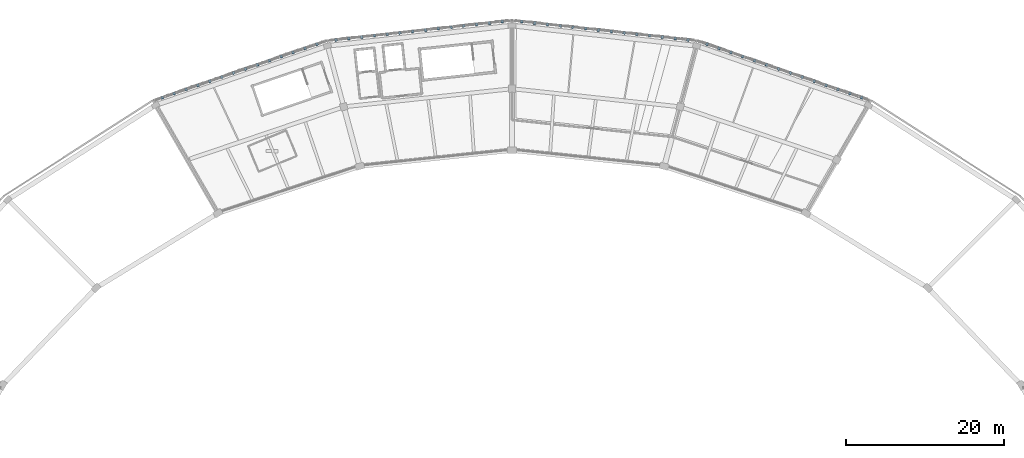
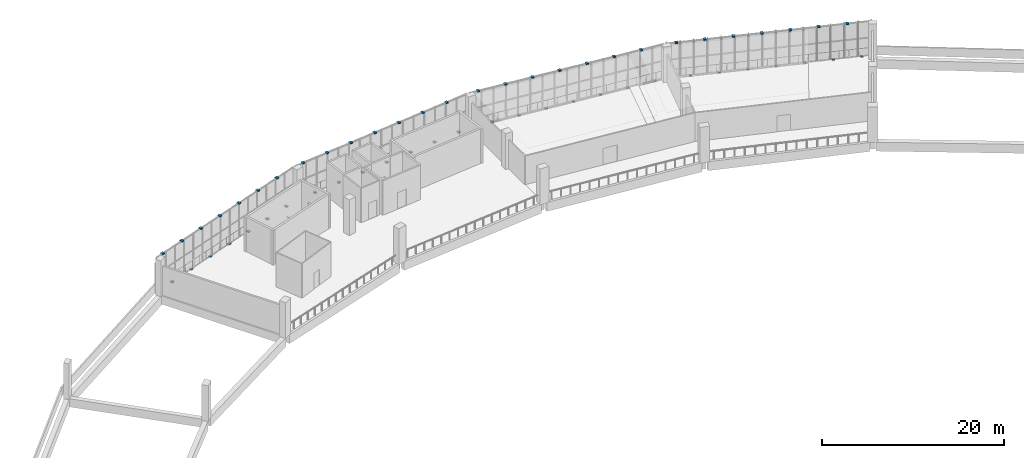
# One storey, part 54 of 64: 56 discrete accessories.
"""IFC4 building model written with IfcOpenShell, lengths in metres."""

from ifc_helpers import new_model, si_unit, direction, frame, origin, origin_2d, place, context, subcontext, project, spatial, rectangle, extrude, material, layer, layer_set, type_object, element, save


model = new_model("IFC4")

# Units and contexts
model_context = context("Model", 3, precision=1e-05, world=origin(), true_north=direction((0.0, 1.0)))
body_context = subcontext(model_context, "Body", "Model", "MODEL_VIEW")
ifc_project = project(units=[si_unit("LENGTHUNIT", "METRE"), si_unit("AREAUNIT", "SQUARE_METRE"), si_unit("VOLUMEUNIT", "CUBIC_METRE"), si_unit("PLANEANGLEUNIT", "RADIAN"), si_unit("MASSUNIT", "GRAM", prefix="KILO")], contexts=[model_context])

# Site, building, storey
site_placement = place(None, origin())
site = spatial("IfcSite", under=ifc_project, at=site_placement, CompositionType="ELEMENT")
building_placement = place(site_placement, origin())
building = spatial("IfcBuilding", under=site, at=building_placement, Name="Zevraka Park Crest Stadium", CompositionType="ELEMENT")
storey_placement = place(building_placement, frame((0.0, 0.0, 24.60009765625)))
storey = spatial("IfcBuildingStorey", under=building, at=storey_placement, Name="L05", CompositionType="ELEMENT", Elevation=24.60009765625)

# Discrete accessories
ifc_material = material(Name="Galvanised steel bracketry", Category="steel")
ifc_layer = layer(ifc_material, 0.1201171875)
ifc_layer_set = layer_set([ifc_layer], Name="Galvanised steel bracketry")
discrete_accessory_type = type_object("IfcDiscreteAccessoryType", Name="BRK01", PredefinedType="BRACKET", material=ifc_layer_set)
for number, where, z_axis, x_axis, name in (
    (1, (156.301025390625, 158.1689453125, -0.16015625), (0.0, 0.0, 1.0), (-0.94506307518, 0.326888029655, 0.0), "Bronze Screen Carrier Bracket BRK01 L05-04-1"),
    (2, (154.7939453125, 158.68994140625, 4.47998046875), (0.0, 0.0, 1.0), (-0.94506307518, 0.326888029655, 0.0), "Bronze Screen Carrier Bracket BRK01 L05-04-2"),
    (3, (153.2880859375, 159.2109375, -0.16015625), (0.0, 0.0, 1.0), (-0.94506307518, 0.326888029655, 0.0), "Bronze Screen Carrier Bracket BRK01 L05-04-3"),
    (4, (151.781005859375, 159.73291015625, 4.47998046875), (0.0, 0.0, 1.0), (-0.94506307518, 0.326888029655, 0.0), "Bronze Screen Carrier Bracket BRK01 L05-04-4"),
    (5, (150.27392578125, 160.25390625, -0.16015625), (0.0, 0.0, 1.0), (-0.94506307518, 0.326888029655, 0.0), "Bronze Screen Carrier Bracket BRK01 L05-04-5"),
    (6, (148.76708984375, 160.77490234375, 4.47998046875), (0.0, 0.0, 1.0), (-0.94506307518, 0.326888029655, 0.0), "Bronze Screen Carrier Bracket BRK01 L05-04-6"),
    (7, (147.260009765625, 161.2958984375, -0.16015625), (0.0, 0.0, 1.0), (-0.94506307518, 0.326888029655, 0.0), "Bronze Screen Carrier Bracket BRK01 L05-04-7"),
    (8, (145.7529296875, 161.818115234375, 4.47998046875), (0.0, 0.0, 1.0), (-0.94506307518, 0.326888029655, 0.0), "Bronze Screen Carrier Bracket BRK01 L05-04-8"),
    (9, (144.24609375, 162.339111328125, -0.16015625), (0.0, 0.0, 1.0), (-0.94506307518, 0.326888029655, 0.0), "Bronze Screen Carrier Bracket BRK01 L05-04-9"),
    (10, (142.739013671875, 162.860107421875, 4.47998046875), (0.0, 0.0, 1.0), (-0.94506307518, 0.326888029655, 0.0), "Bronze Screen Carrier Bracket BRK01 L05-04-10"),
    (11, (141.23193359375, 163.381103515625, -0.16015625), (0.0, 0.0, 1.0), (-0.94506307518, 0.326888029655, 0.0), "Bronze Screen Carrier Bracket BRK01 L05-04-11"),
    (12, (139.72509765625, 163.903076171875, 4.47998046875), (0.0, 0.0, 1.0), (-0.94506307518, 0.326888029655, 0.0), "Bronze Screen Carrier Bracket BRK01 L05-04-12"),
    (13, (138.218994140625, 164.424072265625, -0.16015625), (0.0, 0.0, 1.0), (-0.94506307518, 0.326888029655, 0.0), "Bronze Screen Carrier Bracket BRK01 L05-04-13"),
    (14, (136.7119140625, 164.945068359375, 4.47998046875), (0.0, 0.0, 1.0), (-0.94506307518, 0.326888029655, 0.0), "Bronze Screen Carrier Bracket BRK01 L05-04-14"),
    (15, (134.2890625, 165.488037109375, -0.16015625), (0.0, 0.0, 1.0), (-0.993999199399, 0.109387346587, 0.0), "Bronze Screen Carrier Bracket BRK01 L05-05-1"),
    (16, (132.6708984375, 165.666015625, 4.47998046875), (0.0, 0.0, 1.0), (-0.993999199399, 0.109387346587, 0.0), "Bronze Screen Carrier Bracket BRK01 L05-05-2"),
    (17, (131.052978515625, 165.843994140625, -0.16015625), (0.0, 0.0, 1.0), (-0.993999199399, 0.109387346587, 0.0), "Bronze Screen Carrier Bracket BRK01 L05-05-3"),
    (18, (129.43408203125, 166.02197265625, 4.47998046875), (0.0, 0.0, 1.0), (-0.993999199399, 0.109387346587, 0.0), "Bronze Screen Carrier Bracket BRK01 L05-05-4"),
    (19, (127.81591796875, 166.199951171875, -0.16015625), (0.0, 0.0, 1.0), (-0.993999199399, 0.109387346587, 0.0), "Bronze Screen Carrier Bracket BRK01 L05-05-5"),
    (20, (126.197021484375, 166.3779296875, 4.47998046875), (0.0, 0.0, 1.0), (-0.993999199399, 0.109387346587, 0.0), "Bronze Screen Carrier Bracket BRK01 L05-05-6"),
    (21, (124.5791015625, 166.555908203125, -0.16015625), (0.0, 0.0, 1.0), (-0.993999199399, 0.109387346587, 0.0), "Bronze Screen Carrier Bracket BRK01 L05-05-7"),
    (22, (122.9599609375, 166.73388671875, 4.47998046875), (0.0, 0.0, 1.0), (-0.993999199399, 0.109387346587, 0.0), "Bronze Screen Carrier Bracket BRK01 L05-05-8"),
    (23, (121.342041015625, 166.912109375, -0.16015625), (0.0, 0.0, 1.0), (-0.993999199399, 0.109387346587, 0.0), "Bronze Screen Carrier Bracket BRK01 L05-05-9"),
    (24, (119.722900390625, 167.090087890625, 4.47998046875), (0.0, 0.0, 1.0), (-0.993999199399, 0.109387346587, 0.0), "Bronze Screen Carrier Bracket BRK01 L05-05-10"),
    (25, (118.10498046875, 167.26806640625, -0.16015625), (0.0, 0.0, 1.0), (-0.993999199399, 0.109387346587, 0.0), "Bronze Screen Carrier Bracket BRK01 L05-05-11"),
    (26, (116.486083984375, 167.446044921875, 4.47998046875), (0.0, 0.0, 1.0), (-0.993999199399, 0.109387346587, 0.0), "Bronze Screen Carrier Bracket BRK01 L05-05-12"),
    (27, (114.867919921875, 167.6240234375, -0.16015625), (0.0, 0.0, 1.0), (-0.993999199399, 0.109387346587, 0.0), "Bronze Screen Carrier Bracket BRK01 L05-05-13"),
    (28, (113.25, 167.802001953125, 4.47998046875), (0.0, 0.0, 1.0), (-0.993999199399, 0.109387346587, 0.0), "Bronze Screen Carrier Bracket BRK01 L05-05-14"),
    (29, (110.75, 167.802001953125, -0.16015625), (0.0, 0.0, 1.0), (-0.993999199399, -0.109387346587, 0.0), "Bronze Screen Carrier Bracket BRK01 L05-06-1"),
    (30, (109.132080078125, 167.6240234375, 4.47998046875), (0.0, 0.0, 1.0), (-0.993999199399, -0.109387346587, 0.0), "Bronze Screen Carrier Bracket BRK01 L05-06-2"),
    (31, (107.513916015625, 167.446044921875, -0.16015625), (0.0, 0.0, 1.0), (-0.993999199399, -0.109387346587, 0.0), "Bronze Screen Carrier Bracket BRK01 L05-06-3"),
    (32, (105.89501953125, 167.26806640625, 4.47998046875), (0.0, 0.0, 1.0), (-0.993999199399, -0.109387346587, 0.0), "Bronze Screen Carrier Bracket BRK01 L05-06-4"),
    (33, (104.277099609375, 167.090087890625, -0.16015625), (0.0, 0.0, 1.0), (-0.993999199399, -0.109387346587, 0.0), "Bronze Screen Carrier Bracket BRK01 L05-06-5"),
    (34, (102.657958984375, 166.912109375, 4.47998046875), (0.0, 0.0, 1.0), (-0.993999199399, -0.109387346587, 0.0), "Bronze Screen Carrier Bracket BRK01 L05-06-6"),
    (35, (101.0400390625, 166.73388671875, -0.16015625), (0.0, 0.0, 1.0), (-0.993999199399, -0.109387346587, 0.0), "Bronze Screen Carrier Bracket BRK01 L05-06-7"),
    (36, (99.4208984375, 166.555908203125, 4.47998046875), (0.0, 0.0, 1.0), (-0.993999199399, -0.109387346587, 0.0), "Bronze Screen Carrier Bracket BRK01 L05-06-8"),
    (37, (97.802978515625, 166.3779296875, -0.16015625), (0.0, 0.0, 1.0), (-0.993999199399, -0.109387346587, 0.0), "Bronze Screen Carrier Bracket BRK01 L05-06-9"),
    (38, (96.18408203125, 166.199951171875, 4.47998046875), (0.0, 0.0, 1.0), (-0.993999199399, -0.109387346587, 0.0), "Bronze Screen Carrier Bracket BRK01 L05-06-10"),
    (39, (94.56591796875, 166.02197265625, -0.16015625), (0.0, 0.0, 1.0), (-0.993999199399, -0.109387346587, 0.0), "Bronze Screen Carrier Bracket BRK01 L05-06-11"),
    (40, (92.947021484375, 165.843994140625, 4.47998046875), (0.0, 0.0, 1.0), (-0.993999199399, -0.109387346587, 0.0), "Bronze Screen Carrier Bracket BRK01 L05-06-12"),
    (41, (91.3291015625, 165.666015625, -0.16015625), (0.0, 0.0, 1.0), (-0.993999199399, -0.109387346587, 0.0), "Bronze Screen Carrier Bracket BRK01 L05-06-13"),
    (42, (89.7109375, 165.488037109375, 4.47998046875), (0.0, 0.0, 1.0), (-0.993999199399, -0.109387346587, 0.0), "Bronze Screen Carrier Bracket BRK01 L05-06-14"),
    (43, (87.2880859375, 164.945068359375, -0.16015625), (0.0, 0.0, 1.0), (-0.94506307518, -0.326888029655, 0.0), "Bronze Screen Carrier Bracket BRK01 L05-07-1"),
    (44, (85.781005859375, 164.424072265625, 4.47998046875), (0.0, 0.0, 1.0), (-0.94506307518, -0.326888029655, 0.0), "Bronze Screen Carrier Bracket BRK01 L05-07-2"),
    (45, (84.27490234375, 163.903076171875, -0.16015625), (0.0, 0.0, 1.0), (-0.94506307518, -0.326888029655, 0.0), "Bronze Screen Carrier Bracket BRK01 L05-07-3"),
    (46, (82.76806640625, 163.381103515625, 4.47998046875), (0.0, 0.0, 1.0), (-0.94506307518, -0.326888029655, 0.0), "Bronze Screen Carrier Bracket BRK01 L05-07-4"),
    (47, (81.260986328125, 162.860107421875, -0.16015625), (0.0, 0.0, 1.0), (-0.94506307518, -0.326888029655, 0.0), "Bronze Screen Carrier Bracket BRK01 L05-07-5"),
    (48, (79.75390625, 162.339111328125, 4.47998046875), (0.0, 0.0, 1.0), (-0.94506307518, -0.326888029655, 0.0), "Bronze Screen Carrier Bracket BRK01 L05-07-6"),
    (49, (78.2470703125, 161.818115234375, -0.16015625), (0.0, 0.0, 1.0), (-0.94506307518, -0.326888029655, 0.0), "Bronze Screen Carrier Bracket BRK01 L05-07-7"),
    (50, (76.739990234375, 161.2958984375, 4.47998046875), (0.0, 0.0, 1.0), (-0.94506307518, -0.326888029655, 0.0), "Bronze Screen Carrier Bracket BRK01 L05-07-8"),
    (51, (75.23291015625, 160.77490234375, -0.16015625), (0.0, 0.0, 1.0), (-0.94506307518, -0.326888029655, 0.0), "Bronze Screen Carrier Bracket BRK01 L05-07-9"),
    (52, (73.72607421875, 160.25390625, 4.47998046875), (0.0, 0.0, 1.0), (-0.94506307518, -0.326888029655, 0.0), "Bronze Screen Carrier Bracket BRK01 L05-07-10"),
    (53, (72.218994140625, 159.73291015625, -0.16015625), (0.0, 0.0, 1.0), (-0.94506307518, -0.326888029655, 0.0), "Bronze Screen Carrier Bracket BRK01 L05-07-11"),
    (54, (70.7119140625, 159.2109375, 4.47998046875), (0.0, 0.0, 1.0), (-0.94506307518, -0.326888029655, 0.0), "Bronze Screen Carrier Bracket BRK01 L05-07-12"),
    (55, (69.2060546875, 158.68994140625, -0.16015625), (0.0, 0.0, 1.0), (-0.94506307518, -0.326888029655, 0.0), "Bronze Screen Carrier Bracket BRK01 L05-07-13"),
    (56, (67.698974609375, 158.1689453125, 4.47998046875), (0.0, 0.0, 1.0), (-0.94506307518, -0.326888029655, 0.0), "Bronze Screen Carrier Bracket BRK01 L05-07-14"),
):
    element("IfcDiscreteAccessory", number, at=place(storey_placement, frame(where, z_axis=z_axis, x_axis=x_axis)), inside=storey, type_object=discrete_accessory_type, Name=name, PredefinedType="BRACKET", context=body_context, shape_type="SweptSolid", body=[
        extrude(rectangle(XDim=0.320068359375, YDim=0.360107421875, at=origin_2d()), origin(), (0.0, 0.0, 1.0), 0.159912109375),
    ])

save(model, "model.ifc")
